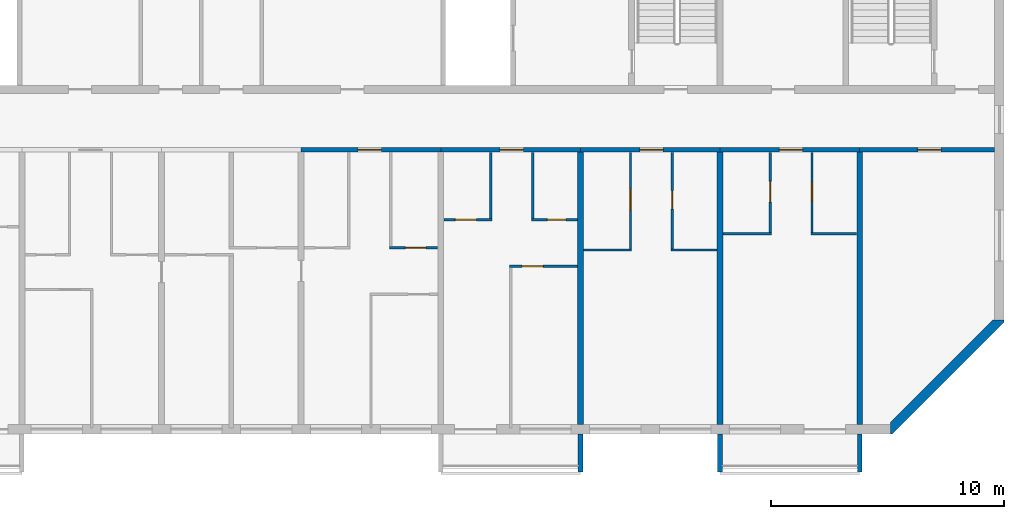
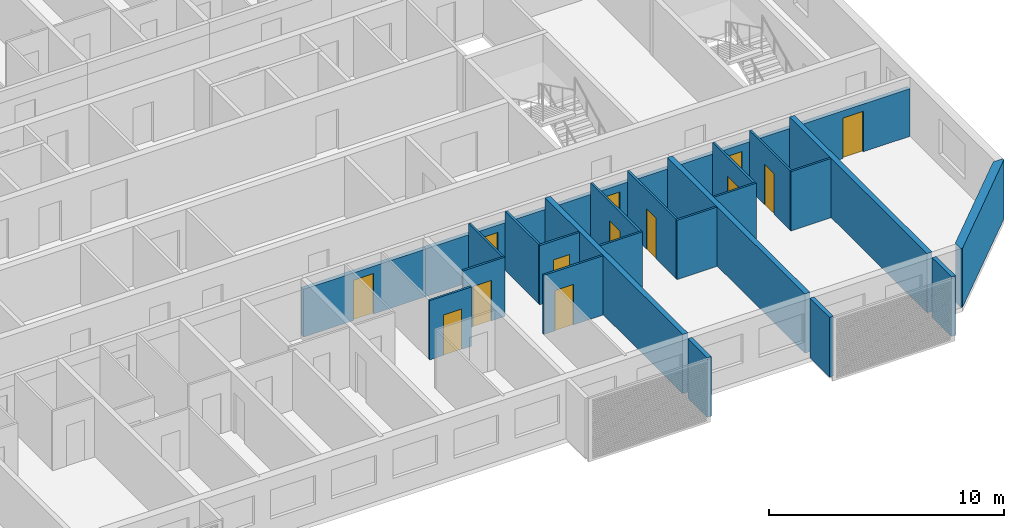
# One storey, part 5 of 26: 26 walls, 13 doors, 13 openings.
"""IFC4 building model written with IfcOpenShell, lengths in metres."""

from ifc_helpers import new_model, si_unit, direction, frame, frame_2d, origin, place, context, subcontext, project, spatial, polyline, rectangle, outline, extrude, source, transform, mapped, material, layer, layer_set, type_object, element, fill, save


model = new_model("IFC4")

# Units and contexts
model_context = context("Model", 3, precision=1e-05, world=origin(), true_north=direction((0.0, 1.0)))
body_context = subcontext(model_context, "Body", "Model", "MODEL_VIEW")
ifc_project = project(units=[si_unit("LENGTHUNIT", "METRE"), si_unit("AREAUNIT", "SQUARE_METRE"), si_unit("VOLUMEUNIT", "CUBIC_METRE"), si_unit("PLANEANGLEUNIT", "RADIAN"), si_unit("MASSUNIT", "GRAM", prefix="KILO")], contexts=[model_context])

# Site, building, storey
site_placement = place(None, origin())
site = spatial("IfcSite", under=ifc_project, at=site_placement, CompositionType="ELEMENT")
building_placement = place(site_placement, origin())
building = spatial("IfcBuilding", under=site, at=building_placement, Name="Poui Terraces", CompositionType="ELEMENT")
storey_placement = place(building_placement, frame((0.0, 0.0, 244.5)))
storey = spatial("IfcBuildingStorey", under=building, at=storey_placement, Name="L68", CompositionType="ELEMENT", Elevation=244.5)

# Wall, opening, door
ifc_material_1 = material(Name="Concrete 50 MPa", Category="concrete")
ifc_layer_1 = layer(ifc_material_1, 0.199951171875)
ifc_layer_set_1 = layer_set([ifc_layer_1], Name="Concrete 50 MPa")
wall_type_1 = type_object("IfcWallType", Name="CORRIDOR WALL 200 50MPa", PredefinedType="SHEAR", material=ifc_layer_set_1)
wall_1_placement = place(storey_placement, frame((54.0, 12.0, 0.0), z_axis=(0.0, 0.0, 1.0), x_axis=(1.0, 0.0, 0.0)))
wall_1 = element("IfcWall", 1, at=wall_1_placement, inside=storey, type_object=wall_type_1, Name="CORRIDOR WALL LINE B BAY 7", PredefinedType="SHEAR", context=body_context, shape_type="SweptSolid", body=[
    extrude(rectangle(XDim=6.0, YDim=0.199951171875, at=frame_2d((3.0, 0.0))), origin(), (0.0, 0.0, 1.0), 2.47998046875),
])
opening_1_placement = place(wall_1_placement, frame((2.449951171875, 0.0, 0.0)))
opening_1 = element("IfcOpeningElement", 2, at=opening_1_placement, cuts=wall_1, Name="Opening FD30S", PredefinedType="OPENING", context=body_context, shape_type="SweptSolid", body=[
    extrude(rectangle(XDim=1.0, YDim=2.10009765625, at=frame_2d((0.5, 1.050048828125))), frame((0.0, 0.10986328125, 0.0), z_axis=(0.0, -1.0, 0.0), x_axis=(1.0, 0.0, 0.0)), (0.0, 0.0, 1.0), 0.219970703125),
])
ifc_material_2 = material(Name="Steel fire door", Category="steel")
door_type_1 = type_object("IfcDoorType", Name="FLAT ENTRANCE DOOR 1000 X 2100", OperationType="NOTDEFINED", PredefinedType="DOOR", material=ifc_material_2)
door_1_placement = place(opening_1_placement, frame((1.0, 0.0, 0.0), z_axis=(0.0, 0.0, 1.0), x_axis=(-1.0, 0.0, 0.0)))
door_1 = element("IfcDoor", 3, at=door_1_placement, inside=storey, type_object=door_type_1, Name="FLAT ENTRANCE DOOR 081", OperationType="SINGLE_SWING_RIGHT", OverallHeight=2.10009765625, OverallWidth=1.0, PredefinedType="DOOR", context=body_context, shape_type="SweptSolid", body=[
    extrude(rectangle(XDim=1.0, YDim=2.10009765625, at=frame_2d((0.5, 1.050048828125))), frame((0.0, 0.02490234375, 0.0), z_axis=(0.0, -1.0, 0.0), x_axis=(1.0, 0.0, 0.0)), (0.0, 0.0, 1.0), 0.050048828125),
])
fill(opening_1, door_1)

wall_2_placement = place(storey_placement, frame((60.0, 12.0, 0.0), z_axis=(0.0, 0.0, 1.0), x_axis=(1.0, 0.0, 0.0)))
wall_2 = element("IfcWall", 4, at=wall_2_placement, inside=storey, type_object=wall_type_1, Name="CORRIDOR WALL LINE B BAY 8", PredefinedType="SHEAR", context=body_context, shape_type="SweptSolid", body=[
    extrude(rectangle(XDim=6.0, YDim=0.199951171875, at=frame_2d((3.0, 0.0))), origin(), (0.0, 0.0, 1.0), 2.47998046875),
])
opening_2_placement = place(wall_2_placement, frame((2.550048828125, 0.0, 0.0)))
opening_2 = element("IfcOpeningElement", 5, at=opening_2_placement, cuts=wall_2, Name="Opening FD30S", PredefinedType="OPENING", context=body_context, shape_type="SweptSolid", body=[
    extrude(rectangle(XDim=1.0, YDim=2.10009765625, at=frame_2d((0.5, 1.050048828125))), frame((0.0, 0.10986328125, 0.0), z_axis=(0.0, -1.0, 0.0), x_axis=(1.0, 0.0, 0.0)), (0.0, 0.0, 1.0), 0.219970703125),
])
door_2_placement = place(opening_2_placement, frame((1.0, 0.0, 0.0), z_axis=(0.0, 0.0, 1.0), x_axis=(-1.0, 0.0, 0.0)))
door_2 = element("IfcDoor", 6, at=door_2_placement, inside=storey, type_object=door_type_1, Name="FLAT ENTRANCE DOOR 085", OperationType="SINGLE_SWING_LEFT", OverallHeight=2.10009765625, OverallWidth=1.0, PredefinedType="DOOR", context=body_context, shape_type="SweptSolid", body=[
    extrude(rectangle(XDim=1.0, YDim=2.10009765625, at=frame_2d((0.5, 1.050048828125))), frame((0.0, 0.02490234375, 0.0), z_axis=(0.0, -1.0, 0.0), x_axis=(1.0, 0.0, 0.0)), (0.0, 0.0, 1.0), 0.050048828125),
])
fill(opening_2, door_2)

wall_3_placement = place(storey_placement, frame((66.0, 12.0, 0.0), z_axis=(0.0, 0.0, 1.0), x_axis=(1.0, 0.0, 0.0)))
wall_3 = element("IfcWall", 7, at=wall_3_placement, inside=storey, type_object=wall_type_1, Name="CORRIDOR WALL LINE B BAY 9", PredefinedType="SHEAR", context=body_context, shape_type="SweptSolid", body=[
    extrude(rectangle(XDim=6.0, YDim=0.199951171875, at=frame_2d((3.0, 0.0))), origin(), (0.0, 0.0, 1.0), 2.47998046875),
])
opening_3_placement = place(wall_3_placement, frame((2.550048828125, 0.0, 0.0)))
opening_3 = element("IfcOpeningElement", 8, at=opening_3_placement, cuts=wall_3, Name="Opening FD30S", PredefinedType="OPENING", context=body_context, shape_type="SweptSolid", body=[
    extrude(rectangle(XDim=1.0, YDim=2.10009765625, at=frame_2d((0.5, 1.050048828125))), frame((0.0, 0.10986328125, 0.0), z_axis=(0.0, -1.0, 0.0), x_axis=(1.0, 0.0, 0.0)), (0.0, 0.0, 1.0), 0.219970703125),
])
door_3_placement = place(opening_3_placement, frame((1.0, 0.0, 0.0), z_axis=(0.0, 0.0, 1.0), x_axis=(-1.0, 0.0, 0.0)))
door_3 = element("IfcDoor", 9, at=door_3_placement, inside=storey, type_object=door_type_1, Name="FLAT ENTRANCE DOOR 089", OperationType="SINGLE_SWING_LEFT", OverallHeight=2.10009765625, OverallWidth=1.0, PredefinedType="DOOR", context=body_context, shape_type="SweptSolid", body=[
    extrude(rectangle(XDim=1.0, YDim=2.10009765625, at=frame_2d((0.5, 1.050048828125))), frame((0.0, 0.02490234375, 0.0), z_axis=(0.0, -1.0, 0.0), x_axis=(1.0, 0.0, 0.0)), (0.0, 0.0, 1.0), 0.050048828125),
])
fill(opening_3, door_3)

wall_4_placement = place(storey_placement, frame((72.0, 12.0, 0.0), z_axis=(0.0, 0.0, 1.0), x_axis=(1.0, 0.0, 0.0)))
wall_4 = element("IfcWall", 10, at=wall_4_placement, inside=storey, type_object=wall_type_1, Name="CORRIDOR WALL LINE B BAY 10", PredefinedType="SHEAR", context=body_context, shape_type="SweptSolid", body=[
    extrude(rectangle(XDim=6.0, YDim=0.199951171875, at=frame_2d((3.0, 0.0))), origin(), (0.0, 0.0, 1.0), 2.47998046875),
])
opening_4_placement = place(wall_4_placement, frame((2.550048828125, 0.0, 0.0)))
opening_4 = element("IfcOpeningElement", 11, at=opening_4_placement, cuts=wall_4, Name="Opening FD30S", PredefinedType="OPENING", context=body_context, shape_type="SweptSolid", body=[
    extrude(rectangle(XDim=1.0, YDim=2.10009765625, at=frame_2d((0.5, 1.050048828125))), frame((0.0, 0.10986328125, 0.0), z_axis=(0.0, -1.0, 0.0), x_axis=(1.0, 0.0, 0.0)), (0.0, 0.0, 1.0), 0.219970703125),
])
door_4_placement = place(opening_4_placement, frame((1.0, 0.0, 0.0), z_axis=(0.0, 0.0, 1.0), x_axis=(-1.0, 0.0, 0.0)))
door_4 = element("IfcDoor", 12, at=door_4_placement, inside=storey, type_object=door_type_1, Name="FLAT ENTRANCE DOOR 092", OperationType="SINGLE_SWING_LEFT", OverallHeight=2.10009765625, OverallWidth=1.0, PredefinedType="DOOR", context=body_context, shape_type="SweptSolid", body=[
    extrude(rectangle(XDim=1.0, YDim=2.10009765625, at=frame_2d((0.5, 1.050048828125))), frame((0.0, 0.02490234375, 0.0), z_axis=(0.0, -1.0, 0.0), x_axis=(1.0, 0.0, 0.0)), (0.0, 0.0, 1.0), 0.050048828125),
])
fill(opening_4, door_4)

wall_5_placement = place(storey_placement, frame((78.0, 12.0, 0.0), z_axis=(0.0, 0.0, 1.0), x_axis=(1.0, 0.0, 0.0)))
wall_5 = element("IfcWall", 13, at=wall_5_placement, inside=storey, type_object=wall_type_1, Name="CORRIDOR WALL LINE B BAY 11", PredefinedType="SHEAR", context=body_context, shape_type="SweptSolid", body=[
    extrude(rectangle(XDim=5.800048828125, YDim=0.199951171875, at=frame_2d((2.89990234375, 0.0))), origin(), (0.0, 0.0, 1.0), 2.47998046875),
])
opening_5_placement = place(wall_5_placement, frame((2.5, 0.0, 0.0)))
opening_5 = element("IfcOpeningElement", 14, at=opening_5_placement, cuts=wall_5, Name="Opening D100", PredefinedType="OPENING", context=body_context, shape_type="SweptSolid", body=[
    extrude(rectangle(XDim=1.0, YDim=2.10009765625, at=frame_2d((0.5, 1.050048828125))), frame((0.0, 0.10986328125, 0.0), z_axis=(0.0, -1.0, 0.0), x_axis=(1.0, 0.0, 0.0)), (0.0, 0.0, 1.0), 0.219970703125),
])
ifc_material_3 = material(Name="Solid core timber door", Category="wood")
door_type_2 = type_object("IfcDoorType", Name="ACCESSIBLE INTERNAL DOOR 1000 X 2100", OperationType="NOTDEFINED", PredefinedType="DOOR", material=ifc_material_3)
door_5_placement = place(opening_5_placement, frame((1.0, 0.0, 0.0), z_axis=(0.0, 0.0, 1.0), x_axis=(-1.0, 0.0, 0.0)))
door_5 = element("IfcDoor", 15, at=door_5_placement, inside=storey, type_object=door_type_2, Name="ACCESSIBLE INTERNAL DOOR 094", OperationType="SINGLE_SWING_RIGHT", OverallHeight=2.10009765625, OverallWidth=1.0, PredefinedType="DOOR", context=body_context, shape_type="SweptSolid", body=[
    extrude(rectangle(XDim=1.0, YDim=2.10009765625, at=frame_2d((0.5, 1.050048828125))), frame((0.0, 0.02490234375, 0.0), z_axis=(0.0, -1.0, 0.0), x_axis=(1.0, 0.0, 0.0)), (0.0, 0.0, 1.0), 0.050048828125),
])
fill(opening_5, door_5)

# Walls
ifc_layer_2 = layer(ifc_material_1, 0.25)
ifc_layer_set_2 = layer_set([ifc_layer_2], Name="Concrete 50 MPa")
wall_type_2 = type_object("IfcWallType", Name="CROSS WALL 250 50MPa", PredefinedType="SHEAR", material=ifc_layer_set_2)
for number, where, z_axis, x_axis, name in (
    (16, (66.0, 0.199951171875, 0.0), (0.0, 0.0, 1.0), (0.0, 1.0, 0.0), "CROSS WALL LINE 12 SOUTH"),
    (17, (72.0, 0.199951171875, 0.0), (0.0, 0.0, 1.0), (0.0, 1.0, 0.0), "CROSS WALL LINE 13 SOUTH"),
    (18, (78.0, 0.199951171875, 0.0), (0.0, 0.0, 1.0), (0.0, 1.0, 0.0), "CROSS WALL LINE 14 SOUTH"),
):
    element("IfcWall", number, at=place(storey_placement, frame(where, z_axis=z_axis, x_axis=x_axis)), inside=storey, type_object=wall_type_2, Name=name, PredefinedType="SHEAR", context=body_context, shape_type="SweptSolid", body=[
        extrude(rectangle(XDim=11.699951171875, YDim=0.25, at=frame_2d((5.85009765625, 0.0))), origin(), (0.0, 0.0, 1.0), 3.080078125),
    ])

# Wall, opening, door
ifc_material_4 = material(Name="Plasterboard partition")
ifc_layer_3 = layer(ifc_material_4, 0.10009765625)
ifc_layer_set_3 = layer_set([ifc_layer_3], Name="Plasterboard partition")
wall_type_3 = type_object("IfcWallType", Name="FLAT PARTITION 100", PredefinedType="PARTITIONING", material=ifc_layer_set_3)
wall_6_placement = place(storey_placement, frame((62.949951171875, 7.0, 0.0), z_axis=(0.0, 0.0, 1.0), x_axis=(1.0, 0.0, 0.0)))
wall_6 = element("IfcWall", 19, at=wall_6_placement, inside=storey, type_object=wall_type_3, Name="FLAT PARTITION 100", PredefinedType="PARTITIONING", context=body_context, shape_type="SweptSolid", body=[
    extrude(rectangle(XDim=2.9150390625, YDim=0.10009765625, at=frame_2d((1.45751953125, 0.0))), origin(), (0.0, 0.0, 1.0), 3.080078125),
])
opening_6_placement = place(wall_6_placement, frame((0.550048828125, 0.0, 0.0)))
opening_6 = element("IfcOpeningElement", 20, at=opening_6_placement, cuts=wall_6, Name="Opening D90", PredefinedType="OPENING", context=body_context, shape_type="SweptSolid", body=[
    extrude(rectangle(XDim=0.89990234375, YDim=2.10009765625, at=frame_2d((0.449951171875, 1.050048828125))), frame((0.0, 0.06005859375, 0.0), z_axis=(0.0, -1.0, 0.0), x_axis=(1.0, 0.0, 0.0)), (0.0, 0.0, 1.0), 0.1201171875),
])
door_type_3 = type_object("IfcDoorType", Name="INTERNAL DOOR 900 X 2100", OperationType="NOTDEFINED", PredefinedType="DOOR", material=ifc_material_3)
door_6_placement = place(opening_6_placement, origin())
door_6 = element("IfcDoor", 21, at=door_6_placement, inside=storey, type_object=door_type_3, Name="INTERNAL DOOR 086", OperationType="SINGLE_SWING_RIGHT", OverallHeight=2.10009765625, OverallWidth=0.89990234375, PredefinedType="DOOR", context=body_context, shape_type="SweptSolid", body=[
    extrude(rectangle(XDim=0.89990234375, YDim=2.10009765625, at=frame_2d((0.449951171875, 1.050048828125))), frame((0.0, 0.02490234375, 0.0), z_axis=(0.0, -1.0, 0.0), x_axis=(1.0, 0.0, 0.0)), (0.0, 0.0, 1.0), 0.050048828125),
])
fill(opening_6, door_6)

# Walls
wall_7_placement = place(storey_placement, frame((66.135009765625, 7.699951171875, 0.0), z_axis=(0.0, 0.0, 1.0), x_axis=(1.0, 0.0, 0.0)))
element("IfcWall", 22, at=wall_7_placement, inside=storey, type_object=wall_type_3, Name="FLAT PARTITION 100", PredefinedType="PARTITIONING", context=body_context, shape_type="SweptSolid", body=[
    extrude(rectangle(XDim=2.06494140625, YDim=0.10009765625, at=frame_2d((1.032470703125, 0.0))), origin(), (0.0, 0.0, 1.0), 3.080078125),
])
wall_8_placement = place(storey_placement, frame((69.89990234375, 7.699951171875, 0.0), z_axis=(0.0, 0.0, 1.0), x_axis=(1.0, 0.0, 0.0)))
element("IfcWall", 23, at=wall_8_placement, inside=storey, type_object=wall_type_3, Name="FLAT PARTITION 100", PredefinedType="PARTITIONING", context=body_context, shape_type="SweptSolid", body=[
    extrude(rectangle(XDim=1.965087890625, YDim=0.10009765625, at=frame_2d((0.982421875, 0.0))), origin(), (0.0, 0.0, 1.0), 3.080078125),
])

# Wall, opening, door
wall_9_placement = place(storey_placement, frame((57.800048828125, 7.800048828125, 0.0), z_axis=(0.0, 0.0, 1.0), x_axis=(1.0, 0.0, 0.0)))
wall_9 = element("IfcWall", 24, at=wall_9_placement, inside=storey, type_object=wall_type_3, Name="FLAT PARTITION 100", PredefinedType="PARTITIONING", context=body_context, shape_type="SweptSolid", body=[
    extrude(rectangle(XDim=2.06494140625, YDim=0.10009765625, at=frame_2d((1.032470703125, 0.0))), origin(), (0.0, 0.0, 1.0), 3.080078125),
])
opening_7_placement = place(wall_9_placement, frame((0.675048828125, 0.0, 0.0)))
opening_7 = element("IfcOpeningElement", 25, at=opening_7_placement, cuts=wall_9, Name="Opening D90", PredefinedType="OPENING", context=body_context, shape_type="SweptSolid", body=[
    extrude(rectangle(XDim=0.89990234375, YDim=2.10009765625, at=frame_2d((0.449951171875, 1.050048828125))), frame((0.0, 0.06005859375, 0.0), z_axis=(0.0, -1.0, 0.0), x_axis=(1.0, 0.0, 0.0)), (0.0, 0.0, 1.0), 0.1201171875),
])
door_7_placement = place(opening_7_placement, origin())
door_7 = element("IfcDoor", 26, at=door_7_placement, inside=storey, type_object=door_type_3, Name="INTERNAL DOOR 082", OperationType="SINGLE_SWING_RIGHT", OverallHeight=2.10009765625, OverallWidth=0.89990234375, PredefinedType="DOOR", context=body_context, shape_type="SweptSolid", body=[
    extrude(rectangle(XDim=0.89990234375, YDim=2.10009765625, at=frame_2d((0.449951171875, 1.050048828125))), frame((0.0, 0.02490234375, 0.0), z_axis=(0.0, -1.0, 0.0), x_axis=(1.0, 0.0, 0.0)), (0.0, 0.0, 1.0), 0.050048828125),
])
fill(opening_7, door_7)

# Walls
wall_10_placement = place(storey_placement, frame((72.135009765625, 8.39990234375, 0.0), z_axis=(0.0, 0.0, 1.0), x_axis=(1.0, 0.0, 0.0)))
element("IfcWall", 27, at=wall_10_placement, inside=storey, type_object=wall_type_3, Name="FLAT PARTITION 100", PredefinedType="PARTITIONING", context=body_context, shape_type="SweptSolid", body=[
    extrude(rectangle(XDim=2.06494140625, YDim=0.10009765625, at=frame_2d((1.032470703125, 0.0))), origin(), (0.0, 0.0, 1.0), 3.080078125),
])
wall_11_placement = place(storey_placement, frame((75.89990234375, 8.39990234375, 0.0), z_axis=(0.0, 0.0, 1.0), x_axis=(1.0, 0.0, 0.0)))
element("IfcWall", 28, at=wall_11_placement, inside=storey, type_object=wall_type_3, Name="FLAT PARTITION 100", PredefinedType="PARTITIONING", context=body_context, shape_type="SweptSolid", body=[
    extrude(rectangle(XDim=1.965087890625, YDim=0.10009765625, at=frame_2d((0.982421875, 0.0))), origin(), (0.0, 0.0, 1.0), 3.080078125),
])

# Wall, opening, door
wall_12_placement = place(storey_placement, frame((60.135009765625, 9.0, 0.0), z_axis=(0.0, 0.0, 1.0), x_axis=(1.0, 0.0, 0.0)))
wall_12 = element("IfcWall", 29, at=wall_12_placement, inside=storey, type_object=wall_type_3, Name="FLAT PARTITION 100", PredefinedType="PARTITIONING", context=body_context, shape_type="SweptSolid", body=[
    extrude(rectangle(XDim=2.06494140625, YDim=0.10009765625, at=frame_2d((1.032470703125, 0.0))), origin(), (0.0, 0.0, 1.0), 3.080078125),
])
opening_8_placement = place(wall_12_placement, frame((0.489990234375, 0.0, 0.0)))
opening_8 = element("IfcOpeningElement", 30, at=opening_8_placement, cuts=wall_12, Name="Opening D90", PredefinedType="OPENING", context=body_context, shape_type="SweptSolid", body=[
    extrude(rectangle(XDim=0.89990234375, YDim=2.10009765625, at=frame_2d((0.449951171875, 1.050048828125))), frame((0.0, 0.06005859375, 0.0), z_axis=(0.0, -1.0, 0.0), x_axis=(1.0, 0.0, 0.0)), (0.0, 0.0, 1.0), 0.1201171875),
])
door_8_placement = place(opening_8_placement, origin())
door_8 = element("IfcDoor", 31, at=door_8_placement, inside=storey, type_object=door_type_3, Name="INTERNAL DOOR 084", OperationType="SINGLE_SWING_RIGHT", OverallHeight=2.10009765625, OverallWidth=0.89990234375, PredefinedType="DOOR", context=body_context, shape_type="SweptSolid", body=[
    extrude(rectangle(XDim=0.89990234375, YDim=2.10009765625, at=frame_2d((0.449951171875, 1.050048828125))), frame((0.0, 0.02490234375, 0.0), z_axis=(0.0, -1.0, 0.0), x_axis=(1.0, 0.0, 0.0)), (0.0, 0.0, 1.0), 0.050048828125),
])
fill(opening_8, door_8)

wall_13_placement = place(storey_placement, frame((63.89990234375, 9.0, 0.0), z_axis=(0.0, 0.0, 1.0), x_axis=(1.0, 0.0, 0.0)))
wall_13 = element("IfcWall", 32, at=wall_13_placement, inside=storey, type_object=wall_type_3, Name="FLAT PARTITION 100", PredefinedType="PARTITIONING", context=body_context, shape_type="SweptSolid", body=[
    extrude(rectangle(XDim=1.965087890625, YDim=0.10009765625, at=frame_2d((0.982421875, 0.0))), origin(), (0.0, 0.0, 1.0), 3.080078125),
])
opening_9_placement = place(wall_13_placement, frame((0.675048828125, 0.0, 0.0)))
opening_9 = element("IfcOpeningElement", 33, at=opening_9_placement, cuts=wall_13, Name="Opening D80", PredefinedType="OPENING", context=body_context, shape_type="SweptSolid", body=[
    extrude(rectangle(XDim=0.800048828125, YDim=2.10009765625, at=frame_2d((0.39990234375, 1.050048828125))), frame((0.0, 0.06005859375, 0.0), z_axis=(0.0, -1.0, 0.0), x_axis=(1.0, 0.0, 0.0)), (0.0, 0.0, 1.0), 0.1201171875),
])
door_type_4 = type_object("IfcDoorType", Name="BATHROOM, LAUNDRY AND STORE DOOR 800 X 2100", OperationType="NOTDEFINED", PredefinedType="DOOR", material=ifc_material_3)
door_9_placement = place(opening_9_placement, origin())
door_9 = element("IfcDoor", 34, at=door_9_placement, inside=storey, type_object=door_type_4, Name="BATHROOM, LAUNDRY AND STORE DOOR 087", OperationType="SINGLE_SWING_LEFT", OverallHeight=2.10009765625, OverallWidth=0.800048828125, PredefinedType="DOOR", context=body_context, shape_type="SweptSolid", body=[
    extrude(rectangle(XDim=0.800048828125, YDim=2.10009765625, at=frame_2d((0.39990234375, 1.050048828125))), frame((0.0, 0.02490234375, 0.0), z_axis=(0.0, -1.0, 0.0), x_axis=(1.0, 0.0, 0.0)), (0.0, 0.0, 1.0), 0.050048828125),
])
fill(opening_9, door_9)

# Walls
for number, where, z_axis, x_axis, name in (
    (35, (62.14990234375, 9.050048828125, 0.0), (0.0, 0.0, 1.0), (0.0, 1.0, 0.0), "FLAT PARTITION 100"),
    (36, (63.949951171875, 9.050048828125, 0.0), (0.0, 0.0, 1.0), (0.0, 1.0, 0.0), "FLAT PARTITION 100"),
):
    element("IfcWall", number, at=place(storey_placement, frame(where, z_axis=z_axis, x_axis=x_axis)), inside=storey, type_object=wall_type_3, Name=name, PredefinedType="PARTITIONING", context=body_context, shape_type="SweptSolid", body=[
        extrude(rectangle(XDim=2.83984375, YDim=0.10009765625, at=frame_2d((1.419921875, 0.0))), origin(), (0.0, 0.0, 1.0), 3.080078125),
    ])

# Wall, opening, door
wall_14_placement = place(storey_placement, frame((68.14990234375, 7.75, 0.0), z_axis=(0.0, 0.0, 1.0), x_axis=(0.0, 1.0, 0.0)))
wall_14 = element("IfcWall", 37, at=wall_14_placement, inside=storey, type_object=wall_type_3, Name="FLAT PARTITION 100", PredefinedType="PARTITIONING", context=body_context, shape_type="SweptSolid", body=[
    extrude(rectangle(XDim=4.139892578125, YDim=0.10009765625, at=frame_2d((2.06982421875, 0.0))), origin(), (0.0, 0.0, 1.0), 3.080078125),
])
opening_10_placement = place(wall_14_placement, frame((1.64990234375, 0.0, 0.0)))
opening_10 = element("IfcOpeningElement", 38, at=opening_10_placement, cuts=wall_14, Name="Opening D90", PredefinedType="OPENING", context=body_context, shape_type="SweptSolid", body=[
    extrude(rectangle(XDim=0.89990234375, YDim=2.10009765625, at=frame_2d((0.449951171875, 1.050048828125))), frame((0.0, 0.06005859375, 0.0), z_axis=(0.0, -1.0, 0.0), x_axis=(1.0, 0.0, 0.0)), (0.0, 0.0, 1.0), 0.1201171875),
])
door_10_placement = place(opening_10_placement, origin())
door_10 = element("IfcDoor", 39, at=door_10_placement, inside=storey, type_object=door_type_3, Name="INTERNAL DOOR 088", OperationType="SINGLE_SWING_RIGHT", OverallHeight=2.10009765625, OverallWidth=0.89990234375, PredefinedType="DOOR", context=body_context, shape_type="SweptSolid", body=[
    extrude(rectangle(XDim=0.89990234375, YDim=2.10009765625, at=frame_2d((0.449951171875, 1.050048828125))), frame((0.0, 0.02490234375, 0.0), z_axis=(0.0, -1.0, 0.0), x_axis=(1.0, 0.0, 0.0)), (0.0, 0.0, 1.0), 0.050048828125),
])
fill(opening_10, door_10)

wall_15_placement = place(storey_placement, frame((69.949951171875, 7.75, 0.0), z_axis=(0.0, 0.0, 1.0), x_axis=(0.0, 1.0, 0.0)))
wall_15 = element("IfcWall", 40, at=wall_15_placement, inside=storey, type_object=wall_type_3, Name="FLAT PARTITION 100", PredefinedType="PARTITIONING", context=body_context, shape_type="SweptSolid", body=[
    extrude(rectangle(XDim=4.139892578125, YDim=0.10009765625, at=frame_2d((2.06982421875, 0.0))), origin(), (0.0, 0.0, 1.0), 3.080078125),
])
opening_11_placement = place(wall_15_placement, frame((1.699951171875, 0.0, 0.0)))
opening_11 = element("IfcOpeningElement", 41, at=opening_11_placement, cuts=wall_15, Name="Opening D80", PredefinedType="OPENING", context=body_context, shape_type="SweptSolid", body=[
    extrude(rectangle(XDim=0.800048828125, YDim=2.10009765625, at=frame_2d((0.39990234375, 1.050048828125))), frame((0.0, 0.06005859375, 0.0), z_axis=(0.0, -1.0, 0.0), x_axis=(1.0, 0.0, 0.0)), (0.0, 0.0, 1.0), 0.1201171875),
])
door_11_placement = place(opening_11_placement, frame((0.800048828125, 0.0, 0.0), z_axis=(0.0, 0.0, 1.0), x_axis=(-1.0, 0.0, 0.0)))
door_11 = element("IfcDoor", 42, at=door_11_placement, inside=storey, type_object=door_type_4, Name="BATHROOM, LAUNDRY AND STORE DOOR 090", OperationType="SINGLE_SWING_RIGHT", OverallHeight=2.10009765625, OverallWidth=0.800048828125, PredefinedType="DOOR", context=body_context, shape_type="SweptSolid", body=[
    extrude(rectangle(XDim=0.800048828125, YDim=2.10009765625, at=frame_2d((0.39990234375, 1.050048828125))), frame((0.0, 0.02490234375, 0.0), z_axis=(0.0, -1.0, 0.0), x_axis=(1.0, 0.0, 0.0)), (0.0, 0.0, 1.0), 0.050048828125),
])
fill(opening_11, door_11)

wall_16_placement = place(storey_placement, frame((74.14990234375, 8.449951171875, 0.0), z_axis=(0.0, 0.0, 1.0), x_axis=(0.0, 1.0, 0.0)))
wall_16 = element("IfcWall", 43, at=wall_16_placement, inside=storey, type_object=wall_type_3, Name="FLAT PARTITION 100", PredefinedType="PARTITIONING", context=body_context, shape_type="SweptSolid", body=[
    extrude(rectangle(XDim=3.43994140625, YDim=0.10009765625, at=frame_2d((1.719970703125, 0.0))), origin(), (0.0, 0.0, 1.0), 3.080078125),
])
opening_12_placement = place(wall_16_placement, frame((1.300048828125, 0.0, 0.0)))
opening_12 = element("IfcOpeningElement", 44, at=opening_12_placement, cuts=wall_16, Name="Opening D90", PredefinedType="OPENING", context=body_context, shape_type="SweptSolid", body=[
    extrude(rectangle(XDim=0.89990234375, YDim=2.10009765625, at=frame_2d((0.449951171875, 1.050048828125))), frame((0.0, 0.06005859375, 0.0), z_axis=(0.0, -1.0, 0.0), x_axis=(1.0, 0.0, 0.0)), (0.0, 0.0, 1.0), 0.1201171875),
])
door_12_placement = place(opening_12_placement, origin())
door_12 = element("IfcDoor", 45, at=door_12_placement, inside=storey, type_object=door_type_3, Name="INTERNAL DOOR 091", OperationType="SINGLE_SWING_LEFT", OverallHeight=2.10009765625, OverallWidth=0.89990234375, PredefinedType="DOOR", context=body_context, shape_type="SweptSolid", body=[
    extrude(rectangle(XDim=0.89990234375, YDim=2.10009765625, at=frame_2d((0.449951171875, 1.050048828125))), frame((0.0, 0.02490234375, 0.0), z_axis=(0.0, -1.0, 0.0), x_axis=(1.0, 0.0, 0.0)), (0.0, 0.0, 1.0), 0.050048828125),
])
fill(opening_12, door_12)

wall_17_placement = place(storey_placement, frame((75.949951171875, 8.449951171875, 0.0), z_axis=(0.0, 0.0, 1.0), x_axis=(0.0, 1.0, 0.0)))
wall_17 = element("IfcWall", 46, at=wall_17_placement, inside=storey, type_object=wall_type_3, Name="FLAT PARTITION 100", PredefinedType="PARTITIONING", context=body_context, shape_type="SweptSolid", body=[
    extrude(rectangle(XDim=3.43994140625, YDim=0.10009765625, at=frame_2d((1.719970703125, 0.0))), origin(), (0.0, 0.0, 1.0), 3.080078125),
])
opening_13_placement = place(wall_17_placement, frame((1.35009765625, 0.0, 0.0)))
opening_13 = element("IfcOpeningElement", 47, at=opening_13_placement, cuts=wall_17, Name="Opening D80", PredefinedType="OPENING", context=body_context, shape_type="SweptSolid", body=[
    extrude(rectangle(XDim=0.800048828125, YDim=2.10009765625, at=frame_2d((0.39990234375, 1.050048828125))), frame((0.0, 0.06005859375, 0.0), z_axis=(0.0, -1.0, 0.0), x_axis=(1.0, 0.0, 0.0)), (0.0, 0.0, 1.0), 0.1201171875),
])
door_13_placement = place(opening_13_placement, frame((0.800048828125, 0.0, 0.0), z_axis=(0.0, 0.0, 1.0), x_axis=(-1.0, 0.0, 0.0)))
door_13 = element("IfcDoor", 48, at=door_13_placement, inside=storey, type_object=door_type_4, Name="BATHROOM, LAUNDRY AND STORE DOOR 093", OperationType="SINGLE_SWING_LEFT", OverallHeight=2.10009765625, OverallWidth=0.800048828125, PredefinedType="DOOR", context=body_context, shape_type="SweptSolid", body=[
    extrude(rectangle(XDim=0.800048828125, YDim=2.10009765625, at=frame_2d((0.39990234375, 1.050048828125))), frame((0.0, 0.02490234375, 0.0), z_axis=(0.0, -1.0, 0.0), x_axis=(1.0, 0.0, 0.0)), (0.0, 0.0, 1.0), 0.050048828125),
])
fill(opening_13, door_13)

# Walls
ifc_material_5 = material(Name="Precast concrete 40 MPa", Category="concrete")
ifc_layer_4 = layer(ifc_material_5, 0.39990234375)
ifc_layer_set_4 = layer_set([ifc_layer_4], Name="Precast concrete 40 MPa")
wall_type_4 = type_object("IfcWallType", Name="TERRACOTTA CLAD CHAMFER WALL 400", PredefinedType="STANDARD", material=ifc_layer_set_4)
wall_18_placement = place(storey_placement, origin())
element("IfcWall", 49, at=wall_18_placement, inside=storey, type_object=wall_type_4, Name="CHAMFER WALL CH01", PredefinedType="STANDARD", context=body_context, shape_type="SweptSolid", body=[
    extrude(outline(polyline([(79.317138671875, -0.199951171875), (79.39990234375, -0.199951171875), (84.199951171875, 4.60009765625), (84.199951171875, 4.682861328125), (83.71728515625, 4.682861328125), (79.317138671875, 0.28271484375), (79.317138671875, -0.199951171875)])), origin(), (0.0, 0.0, 1.0), 3.080078125),
])
ifc_layer_5 = layer(ifc_material_5, 0.199951171875)
ifc_layer_set_5 = layer_set([ifc_layer_5], Name="Precast concrete 40 MPa")
wall_type_5 = type_object("IfcWallType", Name="REAR FIN 200", PredefinedType="STANDARD", material=ifc_layer_set_5)
shared_shape = source(origin(), body_context, "Body", "SweptSolid", [
    extrude(outline(polyline([(0.0, 0.0), (0.2001953125, 0.0), (0.2001953125, 1.650146484375), (0.0, 1.650146484375), (0.0, 0.0)])), origin(), (0.0, 0.0, 1.0), 3.10009765625),
])
for number, where, name in (
    (50, (65.89990234375, -1.85009765625, 0.0), "REAR FIN"),
    (51, (71.89990234375, -1.85009765625, 0.0), "REAR FIN"),
    (52, (77.89990234375, -1.85009765625, 0.0), "REAR FIN"),
):
    element("IfcWall", number, at=place(storey_placement, frame(where)), inside=storey, type_object=wall_type_5, Name=name, PredefinedType="STANDARD", context=body_context, shape_type="MappedRepresentation", body=[
        mapped(shared_shape, transform((0.0, 0.0, 0.0))),
    ])

save(model, "model.ifc")
